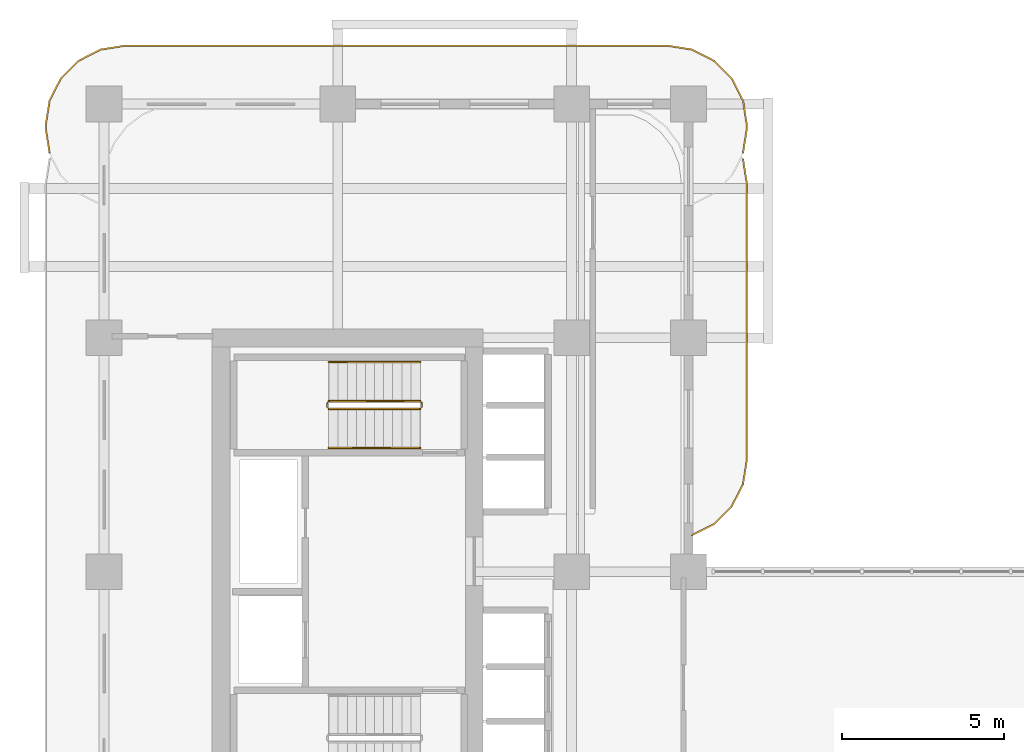
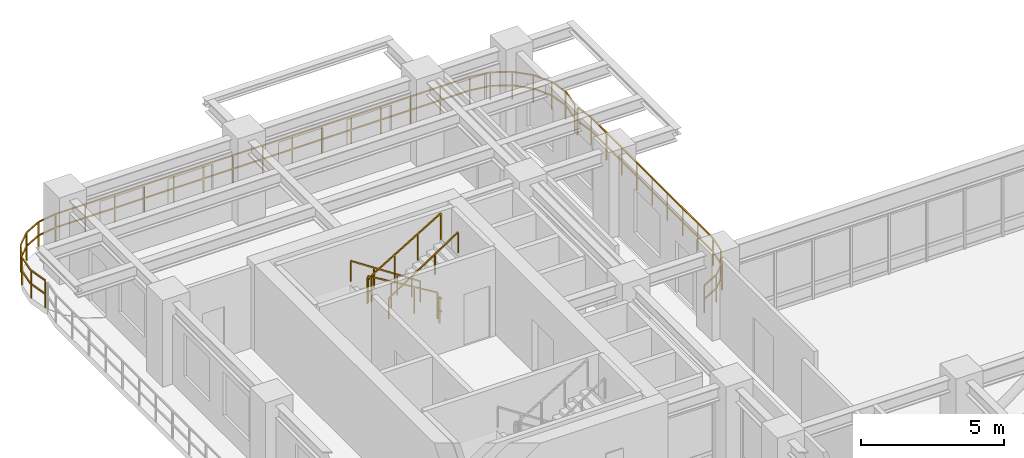
# One storey, part 21 of 21: 8 railings.
"""IFC4 building model written with IfcOpenShell, lengths in metres."""

from ifc_helpers import new_model, si_unit, derived_unit, direction, frame, origin, origin_2d, place, context, subcontext, project, spatial, rectangle, extrude, material, type_object, element, save


model = new_model("IFC4")

# Units and contexts
model_context = context("Model", 3, precision=1e-05, world=origin(), true_north=direction((0.0, 1.0)))
body_context = subcontext(model_context, "Body", "Model", "MODEL_VIEW")
ifc_project = project(units=[si_unit("LENGTHUNIT", "METRE"), si_unit("AREAUNIT", "SQUARE_METRE"), si_unit("VOLUMEUNIT", "CUBIC_METRE"), si_unit("PLANEANGLEUNIT", "RADIAN"), si_unit("MASSUNIT", "GRAM", prefix="KILO"), si_unit("THERMODYNAMICTEMPERATUREUNIT", "KELVIN"), si_unit("POWERUNIT", "WATT"), derived_unit("THERMALTRANSMITTANCEUNIT", [(si_unit("POWERUNIT", "WATT"), 1), (si_unit("AREAUNIT", "SQUARE_METRE"), -1), (si_unit("THERMODYNAMICTEMPERATUREUNIT", "KELVIN"), -1)])], contexts=[model_context])

# Site, building, storey
site_placement = place(None, origin())
site = spatial("IfcSite", under=ifc_project, at=site_placement, CompositionType="ELEMENT")
building_placement = place(site_placement, origin())
building = spatial("IfcBuilding", under=site, at=building_placement, Name="Zahravan Archway Hotel and Residences", CompositionType="ELEMENT")
storey_placement = place(building_placement, frame((0.0, 0.0, 65.699951171875)))
storey = spatial("IfcBuildingStorey", under=building, at=storey_placement, Name="L15", CompositionType="ELEMENT", Elevation=65.699951171875)

# Railings
ifc_material_1 = material(Name="Bronze & Laminated Glass Balustrade", Category="glass")
railing_type_1 = type_object("IfcRailingType", Name="RL-BAL-1200", PredefinedType="BALUSTRADE", material=ifc_material_1)
railing_1_placement = place(storey_placement, frame((-1.68017578125, 45.29296875, 0.0)))
element("IfcRailing", 1, at=railing_1_placement, inside=storey, type_object=railing_type_1, Name="L15 Balustrade RL-SLB-BAL-L15-NB-1", PredefinedType="BALUSTRADE", context=body_context, shape_type="SweptSolid", body=[
    extrude(rectangle(XDim=0.048095703125, YDim=0.048095703125, at=origin_2d()), frame((0.0, 0.0, 1.17578125), z_axis=(-0.156387811283, 0.987695728695, 0.0), x_axis=(-0.987695728695, -0.156387811283, 0.0)), (0.0, 0.0, 1.0), 0.7666015625),
    extrude(rectangle(XDim=0.048095703125, YDim=0.048095703125, at=origin_2d()), frame((0.0, 0.0, 0.60009765625), z_axis=(-0.156387811283, 0.987695728695, 0.0), x_axis=(-0.987695728695, -0.156387811283, 0.0)), (0.0, 0.0, 1.0), 0.7666015625),
    extrude(rectangle(XDim=0.048095703125, YDim=0.048095703125, at=origin_2d()), frame((-0.119873046875, 0.757080078125, 1.17578125), z_axis=(0.0, 1.0, 0.0), x_axis=(-1.0, 0.0, 0.0)), (0.0, 0.0, 1.0), 0.099853515625),
    extrude(rectangle(XDim=0.048095703125, YDim=0.048095703125, at=origin_2d()), frame((-0.119873046875, 0.757080078125, 0.60009765625), z_axis=(0.0, 1.0, 0.0), x_axis=(-1.0, 0.0, 0.0)), (0.0, 0.0, 1.0), 0.099853515625),
    extrude(rectangle(XDim=0.048095703125, YDim=0.048095703125, at=origin_2d()), frame((-0.119873046875, 0.85693359375, 1.17578125), z_axis=(0.156387811283, 0.987695728695, 0.0), x_axis=(-0.987695728695, 0.156387811283, 0.0)), (0.0, 0.0, 1.0), 0.7666015625),
    extrude(rectangle(XDim=0.048095703125, YDim=0.048095703125, at=origin_2d()), frame((-0.119873046875, 0.85693359375, 0.60009765625), z_axis=(0.156387811283, 0.987695728695, 0.0), x_axis=(-0.987695728695, 0.156387811283, 0.0)), (0.0, 0.0, 1.0), 0.7666015625),
    extrude(rectangle(XDim=0.048095703125, YDim=0.048095703125, at=origin_2d()), frame((0.0, 1.614013671875, 1.17578125), z_axis=(0.454078418624, 0.890961721815, 0.0), x_axis=(-0.890961721815, 0.454078418624, 0.0)), (0.0, 0.0, 1.0), 0.7666015625),
    extrude(rectangle(XDim=0.048095703125, YDim=0.048095703125, at=origin_2d()), frame((0.0, 1.614013671875, 0.60009765625), z_axis=(0.454078418624, 0.890961721815, 0.0), x_axis=(-0.890961721815, 0.454078418624, 0.0)), (0.0, 0.0, 1.0), 0.7666015625),
    extrude(rectangle(XDim=0.048095703125, YDim=0.048095703125, at=origin_2d()), frame((0.34814453125, 2.297119140625, 1.17578125), z_axis=(0.707106781187, 0.707106781187, 0.0), x_axis=(-0.707106781187, 0.707106781187, 0.0)), (0.0, 0.0, 1.0), 0.7666015625),
    extrude(rectangle(XDim=0.048095703125, YDim=0.048095703125, at=origin_2d()), frame((0.34814453125, 2.297119140625, 0.60009765625), z_axis=(0.707106781187, 0.707106781187, 0.0), x_axis=(-0.707106781187, 0.707106781187, 0.0)), (0.0, 0.0, 1.0), 0.7666015625),
    extrude(rectangle(XDim=0.048095703125, YDim=0.048095703125, at=origin_2d()), frame((0.89013671875, 2.839111328125, 1.17578125), z_axis=(0.891024909783, 0.453954414172, 0.0), x_axis=(-0.453954414172, 0.891024909783, 0.0)), (0.0, 0.0, 1.0), 0.766357421875),
    extrude(rectangle(XDim=0.048095703125, YDim=0.048095703125, at=origin_2d()), frame((0.89013671875, 2.839111328125, 0.60009765625), z_axis=(0.891024909783, 0.453954414172, 0.0), x_axis=(-0.453954414172, 0.891024909783, 0.0)), (0.0, 0.0, 1.0), 0.766357421875),
    extrude(rectangle(XDim=0.048095703125, YDim=0.048095703125, at=origin_2d()), frame((1.572998046875, 3.18701171875, 1.17578125), z_axis=(0.987646484274, 0.156698507018, 0.0), x_axis=(-0.156698507018, 0.987646484274, 0.0)), (0.0, 0.0, 1.0), 0.7666015625),
    extrude(rectangle(XDim=0.048095703125, YDim=0.048095703125, at=origin_2d()), frame((1.572998046875, 3.18701171875, 0.60009765625), z_axis=(0.987646484274, 0.156698507018, 0.0), x_axis=(-0.156698507018, 0.987646484274, 0.0)), (0.0, 0.0, 1.0), 0.7666015625),
    extrude(rectangle(XDim=0.048095703125, YDim=0.048095703125, at=origin_2d()), frame((2.330078125, 3.30712890625, 1.17578125), z_axis=(1.0, 0.0, 0.0), x_axis=(0.0, 1.0, 0.0)), (0.0, 0.0, 1.0), 16.7001953125),
    extrude(rectangle(XDim=0.048095703125, YDim=0.048095703125, at=origin_2d()), frame((2.330078125, 3.30712890625, 0.60009765625), z_axis=(1.0, 0.0, 0.0), x_axis=(0.0, 1.0, 0.0)), (0.0, 0.0, 1.0), 16.7001953125),
    extrude(rectangle(XDim=0.048095703125, YDim=0.048095703125, at=origin_2d()), frame((19.0302734375, 3.30712890625, 1.17578125), z_axis=(0.987646484274, -0.156698507018, 0.0), x_axis=(0.156698507018, 0.987646484274, 0.0)), (0.0, 0.0, 1.0), 0.7666015625),
    extrude(rectangle(XDim=0.048095703125, YDim=0.048095703125, at=origin_2d()), frame((19.0302734375, 3.30712890625, 0.60009765625), z_axis=(0.987646484274, -0.156698507018, 0.0), x_axis=(0.156698507018, 0.987646484274, 0.0)), (0.0, 0.0, 1.0), 0.7666015625),
    extrude(rectangle(XDim=0.048095703125, YDim=0.048095703125, at=origin_2d()), frame((19.787353515625, 3.18701171875, 1.17578125), z_axis=(0.891024909783, -0.453954414172, 0.0), x_axis=(0.453954414172, 0.891024909783, 0.0)), (0.0, 0.0, 1.0), 0.766357421875),
    extrude(rectangle(XDim=0.048095703125, YDim=0.048095703125, at=origin_2d()), frame((19.787353515625, 3.18701171875, 0.60009765625), z_axis=(0.891024909783, -0.453954414172, 0.0), x_axis=(0.453954414172, 0.891024909783, 0.0)), (0.0, 0.0, 1.0), 0.766357421875),
    extrude(rectangle(XDim=0.048095703125, YDim=0.048095703125, at=origin_2d()), frame((20.47021484375, 2.839111328125, 1.17578125), z_axis=(0.707106781187, -0.707106781187, 0.0), x_axis=(0.707106781187, 0.707106781187, 0.0)), (0.0, 0.0, 1.0), 0.7666015625),
    extrude(rectangle(XDim=0.048095703125, YDim=0.048095703125, at=origin_2d()), frame((20.47021484375, 2.839111328125, 0.60009765625), z_axis=(0.707106781187, -0.707106781187, 0.0), x_axis=(0.707106781187, 0.707106781187, 0.0)), (0.0, 0.0, 1.0), 0.7666015625),
    extrude(rectangle(XDim=0.048095703125, YDim=0.048095703125, at=origin_2d()), frame((21.01220703125, 2.297119140625, 1.17578125), z_axis=(0.454078418624, -0.890961721815, 0.0), x_axis=(0.890961721815, 0.454078418624, 0.0)), (0.0, 0.0, 1.0), 0.7666015625),
    extrude(rectangle(XDim=0.048095703125, YDim=0.048095703125, at=origin_2d()), frame((21.01220703125, 2.297119140625, 0.60009765625), z_axis=(0.454078418624, -0.890961721815, 0.0), x_axis=(0.890961721815, 0.454078418624, 0.0)), (0.0, 0.0, 1.0), 0.7666015625),
    extrude(rectangle(XDim=0.048095703125, YDim=0.048095703125, at=origin_2d()), frame((21.3603515625, 1.614013671875, 1.17578125), z_axis=(0.156387811283, -0.987695728695, 0.0), x_axis=(0.987695728695, 0.156387811283, 0.0)), (0.0, 0.0, 1.0), 0.7666015625),
    extrude(rectangle(XDim=0.048095703125, YDim=0.048095703125, at=origin_2d()), frame((21.3603515625, 1.614013671875, 0.60009765625), z_axis=(0.156387811283, -0.987695728695, 0.0), x_axis=(0.987695728695, 0.156387811283, 0.0)), (0.0, 0.0, 1.0), 0.7666015625),
    extrude(rectangle(XDim=0.048095703125, YDim=0.048095703125, at=origin_2d()), frame((21.480224609375, 0.85693359375, 1.17578125), z_axis=(0.0, -1.0, 0.0), x_axis=(1.0, 0.0, 0.0)), (0.0, 0.0, 1.0), 0.099853515625),
    extrude(rectangle(XDim=0.048095703125, YDim=0.048095703125, at=origin_2d()), frame((21.480224609375, 0.85693359375, 0.60009765625), z_axis=(0.0, -1.0, 0.0), x_axis=(1.0, 0.0, 0.0)), (0.0, 0.0, 1.0), 0.099853515625),
    extrude(rectangle(XDim=0.048095703125, YDim=0.048095703125, at=origin_2d()), frame((21.480224609375, 0.757080078125, 1.17578125), z_axis=(-0.156387811283, -0.987695728695, 0.0), x_axis=(0.987695728695, -0.156387811283, 0.0)), (0.0, 0.0, 1.0), 0.7666015625),
    extrude(rectangle(XDim=0.048095703125, YDim=0.048095703125, at=origin_2d()), frame((21.480224609375, 0.757080078125, 0.60009765625), z_axis=(-0.156387811283, -0.987695728695, 0.0), x_axis=(0.987695728695, -0.156387811283, 0.0)), (0.0, 0.0, 1.0), 0.7666015625),
    extrude(rectangle(XDim=0.0419921875, YDim=0.0419921875, at=origin_2d()), origin(), (0.0, 0.0, 1.0), 1.15185546875),
    extrude(rectangle(XDim=0.0419921875, YDim=0.0419921875, at=origin_2d()), frame((-0.119873046875, 0.757080078125, 0.0)), (0.0, 0.0, 1.0), 1.15185546875),
    extrude(rectangle(XDim=0.0419921875, YDim=0.0419921875, at=origin_2d()), frame((0.0, 1.614013671875, 0.0)), (0.0, 0.0, 1.0), 1.15185546875),
    extrude(rectangle(XDim=0.0419921875, YDim=0.0419921875, at=origin_2d()), frame((0.34814453125, 2.297119140625, 0.0)), (0.0, 0.0, 1.0), 1.15185546875),
    extrude(rectangle(XDim=0.0419921875, YDim=0.0419921875, at=origin_2d()), frame((0.89013671875, 2.839111328125, 0.0)), (0.0, 0.0, 1.0), 1.15185546875),
    extrude(rectangle(XDim=0.0419921875, YDim=0.0419921875, at=origin_2d()), frame((1.572998046875, 3.18701171875, 0.0)), (0.0, 0.0, 1.0), 1.15185546875),
    extrude(rectangle(XDim=0.0419921875, YDim=0.0419921875, at=origin_2d()), frame((2.330078125, 3.30712890625, 0.0)), (0.0, 0.0, 1.0), 1.15185546875),
    extrude(rectangle(XDim=0.0419921875, YDim=0.0419921875, at=origin_2d()), frame((3.52294921875, 3.30712890625, 0.0)), (0.0, 0.0, 1.0), 1.15185546875),
    extrude(rectangle(XDim=0.0419921875, YDim=0.0419921875, at=origin_2d()), frame((4.7158203125, 3.30712890625, 0.0)), (0.0, 0.0, 1.0), 1.15185546875),
    extrude(rectangle(XDim=0.0419921875, YDim=0.0419921875, at=origin_2d()), frame((5.90869140625, 3.30712890625, 0.0)), (0.0, 0.0, 1.0), 1.15185546875),
    extrude(rectangle(XDim=0.0419921875, YDim=0.0419921875, at=origin_2d()), frame((7.1015625, 3.30712890625, 0.0)), (0.0, 0.0, 1.0), 1.15185546875),
    extrude(rectangle(XDim=0.0419921875, YDim=0.0419921875, at=origin_2d()), frame((8.29443359375, 3.30712890625, 0.0)), (0.0, 0.0, 1.0), 1.15185546875),
    extrude(rectangle(XDim=0.0419921875, YDim=0.0419921875, at=origin_2d()), frame((9.4873046875, 3.30712890625, 0.0)), (0.0, 0.0, 1.0), 1.15185546875),
    extrude(rectangle(XDim=0.0419921875, YDim=0.0419921875, at=origin_2d()), frame((10.68017578125, 3.30712890625, 0.0)), (0.0, 0.0, 1.0), 1.15185546875),
    extrude(rectangle(XDim=0.0419921875, YDim=0.0419921875, at=origin_2d()), frame((11.873046875, 3.30712890625, 0.0)), (0.0, 0.0, 1.0), 1.15185546875),
    extrude(rectangle(XDim=0.0419921875, YDim=0.0419921875, at=origin_2d()), frame((13.06591796875, 3.30712890625, 0.0)), (0.0, 0.0, 1.0), 1.15185546875),
    extrude(rectangle(XDim=0.0419921875, YDim=0.0419921875, at=origin_2d()), frame((14.2587890625, 3.30712890625, 0.0)), (0.0, 0.0, 1.0), 1.15185546875),
    extrude(rectangle(XDim=0.0419921875, YDim=0.0419921875, at=origin_2d()), frame((15.45166015625, 3.30712890625, 0.0)), (0.0, 0.0, 1.0), 1.15185546875),
    extrude(rectangle(XDim=0.0419921875, YDim=0.0419921875, at=origin_2d()), frame((16.64453125, 3.30712890625, 0.0)), (0.0, 0.0, 1.0), 1.15185546875),
    extrude(rectangle(XDim=0.0419921875, YDim=0.0419921875, at=origin_2d()), frame((17.83740234375, 3.30712890625, 0.0)), (0.0, 0.0, 1.0), 1.15185546875),
    extrude(rectangle(XDim=0.0419921875, YDim=0.0419921875, at=origin_2d()), frame((19.0302734375, 3.30712890625, 0.0)), (0.0, 0.0, 1.0), 1.15185546875),
    extrude(rectangle(XDim=0.0419921875, YDim=0.0419921875, at=origin_2d()), frame((19.787353515625, 3.18701171875, 0.0)), (0.0, 0.0, 1.0), 1.15185546875),
    extrude(rectangle(XDim=0.0419921875, YDim=0.0419921875, at=origin_2d()), frame((20.47021484375, 2.839111328125, 0.0)), (0.0, 0.0, 1.0), 1.15185546875),
    extrude(rectangle(XDim=0.0419921875, YDim=0.0419921875, at=origin_2d()), frame((21.01220703125, 2.297119140625, 0.0)), (0.0, 0.0, 1.0), 1.15185546875),
    extrude(rectangle(XDim=0.0419921875, YDim=0.0419921875, at=origin_2d()), frame((21.3603515625, 1.614013671875, 0.0)), (0.0, 0.0, 1.0), 1.15185546875),
    extrude(rectangle(XDim=0.0419921875, YDim=0.0419921875, at=origin_2d()), frame((21.480224609375, 0.85693359375, 0.0)), (0.0, 0.0, 1.0), 1.15185546875),
    extrude(rectangle(XDim=0.0419921875, YDim=0.0419921875, at=origin_2d()), frame((21.3603515625, 0.0, 0.0)), (0.0, 0.0, 1.0), 1.15185546875),
])
railing_2_placement = place(storey_placement, frame((19.68017578125, 45.107177734375, 0.0)))
element("IfcRailing", 2, at=railing_2_placement, inside=storey, type_object=railing_type_1, Name="L15 Balustrade RL-SLB-BAL-L15-EB-1", PredefinedType="BALUSTRADE", context=body_context, shape_type="SweptSolid", body=[
    extrude(rectangle(XDim=0.048095703125, YDim=0.048095703125, at=origin_2d()), frame((0.0, 0.0, 1.17578125), z_axis=(0.156387811283, -0.987695728695, 0.0), x_axis=(0.987695728695, 0.156387811283, 0.0)), (0.0, 0.0, 1.0), 0.7666015625),
    extrude(rectangle(XDim=0.048095703125, YDim=0.048095703125, at=origin_2d()), frame((0.0, 0.0, 0.60009765625), z_axis=(0.156387811283, -0.987695728695, 0.0), x_axis=(0.987695728695, 0.156387811283, 0.0)), (0.0, 0.0, 1.0), 0.7666015625),
    extrude(rectangle(XDim=0.048095703125, YDim=0.048095703125, at=origin_2d()), frame((0.119873046875, -0.757080078125, 1.17578125), z_axis=(0.0, -1.0, 0.0), x_axis=(1.0, 0.0, 0.0)), (0.0, 0.0, 1.0), 8.5),
    extrude(rectangle(XDim=0.048095703125, YDim=0.048095703125, at=origin_2d()), frame((0.119873046875, -0.757080078125, 0.60009765625), z_axis=(0.0, -1.0, 0.0), x_axis=(1.0, 0.0, 0.0)), (0.0, 0.0, 1.0), 8.5),
    extrude(rectangle(XDim=0.048095703125, YDim=0.048095703125, at=origin_2d()), frame((0.119873046875, -9.257080078125, 1.17578125), z_axis=(-0.156387811283, -0.987695728695, 0.0), x_axis=(0.987695728695, -0.156387811283, 0.0)), (0.0, 0.0, 1.0), 0.7666015625),
    extrude(rectangle(XDim=0.048095703125, YDim=0.048095703125, at=origin_2d()), frame((0.119873046875, -9.257080078125, 0.60009765625), z_axis=(-0.156387811283, -0.987695728695, 0.0), x_axis=(0.987695728695, -0.156387811283, 0.0)), (0.0, 0.0, 1.0), 0.7666015625),
    extrude(rectangle(XDim=0.048095703125, YDim=0.048095703125, at=origin_2d()), frame((0.0, -10.01416015625, 1.17578125), z_axis=(-0.454078418624, -0.890961721815, 0.0), x_axis=(0.890961721815, -0.454078418624, 0.0)), (0.0, 0.0, 1.0), 0.7666015625),
    extrude(rectangle(XDim=0.048095703125, YDim=0.048095703125, at=origin_2d()), frame((0.0, -10.01416015625, 0.60009765625), z_axis=(-0.454078418624, -0.890961721815, 0.0), x_axis=(0.890961721815, -0.454078418624, 0.0)), (0.0, 0.0, 1.0), 0.7666015625),
    extrude(rectangle(XDim=0.048095703125, YDim=0.048095703125, at=origin_2d()), frame((-0.34814453125, -10.697265625, 1.17578125), z_axis=(-0.707106781187, -0.707106781187, 0.0), x_axis=(0.707106781187, -0.707106781187, 0.0)), (0.0, 0.0, 1.0), 0.7666015625),
    extrude(rectangle(XDim=0.048095703125, YDim=0.048095703125, at=origin_2d()), frame((-0.34814453125, -10.697265625, 0.60009765625), z_axis=(-0.707106781187, -0.707106781187, 0.0), x_axis=(0.707106781187, -0.707106781187, 0.0)), (0.0, 0.0, 1.0), 0.7666015625),
    extrude(rectangle(XDim=0.048095703125, YDim=0.048095703125, at=origin_2d()), frame((-0.89013671875, -11.2392578125, 1.17578125), z_axis=(-0.891024909783, -0.453954414172, 0.0), x_axis=(0.453954414172, -0.891024909783, 0.0)), (0.0, 0.0, 1.0), 0.766357421875),
    extrude(rectangle(XDim=0.048095703125, YDim=0.048095703125, at=origin_2d()), frame((-0.89013671875, -11.2392578125, 0.60009765625), z_axis=(-0.891024909783, -0.453954414172, 0.0), x_axis=(0.453954414172, -0.891024909783, 0.0)), (0.0, 0.0, 1.0), 0.766357421875),
    extrude(rectangle(XDim=0.0419921875, YDim=0.0419921875, at=origin_2d()), origin(), (0.0, 0.0, 1.0), 1.15185546875),
    extrude(rectangle(XDim=0.0419921875, YDim=0.0419921875, at=origin_2d()), frame((0.119873046875, -0.757080078125, 0.0)), (0.0, 0.0, 1.0), 1.15185546875),
    extrude(rectangle(XDim=0.0419921875, YDim=0.0419921875, at=origin_2d()), frame((0.119873046875, -1.819580078125, 0.0)), (0.0, 0.0, 1.0), 1.15185546875),
    extrude(rectangle(XDim=0.0419921875, YDim=0.0419921875, at=origin_2d()), frame((0.119873046875, -2.882080078125, 0.0)), (0.0, 0.0, 1.0), 1.15185546875),
    extrude(rectangle(XDim=0.0419921875, YDim=0.0419921875, at=origin_2d()), frame((0.119873046875, -3.944580078125, 0.0)), (0.0, 0.0, 1.0), 1.15185546875),
    extrude(rectangle(XDim=0.0419921875, YDim=0.0419921875, at=origin_2d()), frame((0.119873046875, -5.007080078125, 0.0)), (0.0, 0.0, 1.0), 1.15185546875),
    extrude(rectangle(XDim=0.0419921875, YDim=0.0419921875, at=origin_2d()), frame((0.119873046875, -6.069580078125, 0.0)), (0.0, 0.0, 1.0), 1.15185546875),
    extrude(rectangle(XDim=0.0419921875, YDim=0.0419921875, at=origin_2d()), frame((0.119873046875, -7.132080078125, 0.0)), (0.0, 0.0, 1.0), 1.15185546875),
    extrude(rectangle(XDim=0.0419921875, YDim=0.0419921875, at=origin_2d()), frame((0.119873046875, -8.194580078125, 0.0)), (0.0, 0.0, 1.0), 1.15185546875),
    extrude(rectangle(XDim=0.0419921875, YDim=0.0419921875, at=origin_2d()), frame((0.119873046875, -9.257080078125, 0.0)), (0.0, 0.0, 1.0), 1.15185546875),
    extrude(rectangle(XDim=0.0419921875, YDim=0.0419921875, at=origin_2d()), frame((0.0, -10.01416015625, 0.0)), (0.0, 0.0, 1.0), 1.15185546875),
    extrude(rectangle(XDim=0.0419921875, YDim=0.0419921875, at=origin_2d()), frame((-0.34814453125, -10.697265625, 0.0)), (0.0, 0.0, 1.0), 1.15185546875),
    extrude(rectangle(XDim=0.0419921875, YDim=0.0419921875, at=origin_2d()), frame((-0.89013671875, -11.2392578125, 0.0)), (0.0, 0.0, 1.0), 1.15185546875),
    extrude(rectangle(XDim=0.0419921875, YDim=0.0419921875, at=origin_2d()), frame((-1.572998046875, -11.587158203125, 0.0)), (0.0, 0.0, 1.0), 1.15185546875),
])
ifc_material_2 = material(Name="Painted Tubular Steel", Category="steel")
railing_type_2 = type_object("IfcRailingType", Name="RL-STG-1150", PredefinedType="GUARDRAIL", material=ifc_material_2)
railing_3_placement = place(storey_placement, frame((9.72998046875, 37.64990234375, 0.168212890625)))
element("IfcRailing", 3, at=railing_3_placement, inside=storey, type_object=railing_type_2, Name="L15 ST-B2 stair guard 1", PredefinedType="GUARDRAIL", context=body_context, shape_type="SweptSolid", body=[
    extrude(rectangle(XDim=0.048095703125, YDim=0.048095703125, at=origin_2d()), frame((0.0, 0.0, 1.1259765625), z_axis=(-0.857242210791, 0.0, 0.514913383045), x_axis=(0.0, -1.0, 0.0)), (0.0, 0.0, 1.0), 3.266357421875),
    extrude(rectangle(XDim=0.0419921875, YDim=0.0419921875, at=origin_2d()), origin(), (0.0, 0.0, 1.0), 1.101806640625),
    extrude(rectangle(XDim=0.0419921875, YDim=0.0419921875, at=origin_2d()), frame((-0.933349609375, 0.0, 0.560546875)), (0.0, 0.0, 1.0), 1.101806640625),
    extrude(rectangle(XDim=0.0419921875, YDim=0.0419921875, at=origin_2d()), frame((-1.86669921875, 0.0, 1.121337890625)), (0.0, 0.0, 1.0), 1.101806640625),
    extrude(rectangle(XDim=0.0419921875, YDim=0.0419921875, at=origin_2d()), frame((-2.800048828125, 0.0, 1.681884765625)), (0.0, 0.0, 1.0), 1.101806640625),
])
railing_4_placement = place(storey_placement, frame((6.8798828125, 37.60009765625, 1.85009765625)))
element("IfcRailing", 4, at=railing_4_placement, inside=storey, type_object=railing_type_2, Name="L15 ST-B2 stair guard 2", PredefinedType="GUARDRAIL", context=body_context, shape_type="SweptSolid", body=[
    extrude(rectangle(XDim=0.048095703125, YDim=0.048095703125, at=origin_2d()), frame((0.0, 0.0, 1.1259765625), z_axis=(0.0, -1.0, 0.0), x_axis=(1.0, 0.0, 0.0)), (0.0, 0.0, 1.0), 0.14013671875),
    extrude(rectangle(XDim=0.048095703125, YDim=0.048095703125, at=origin_2d()), frame((0.0, 0.0, 0.574951171875), z_axis=(0.0, -1.0, 0.0), x_axis=(1.0, 0.0, 0.0)), (0.0, 0.0, 1.0), 0.14013671875),
    extrude(rectangle(XDim=0.0419921875, YDim=0.0419921875, at=origin_2d()), origin(), (0.0, 0.0, 1.0), 1.101806640625),
])
railing_5_placement = place(storey_placement, frame((6.929931640625, 37.409912109375, 2.018310546875)))
element("IfcRailing", 5, at=railing_5_placement, inside=storey, type_object=railing_type_2, Name="L15 ST-B2 stair guard 3", PredefinedType="GUARDRAIL", context=body_context, shape_type="SweptSolid", body=[
    extrude(rectangle(XDim=0.048095703125, YDim=0.048095703125, at=origin_2d()), frame((0.0, 0.0, 1.1259765625), z_axis=(0.857275202839, 0.0, 0.514858452973), x_axis=(0.0, 1.0, 0.0)), (0.0, 0.0, 1.0), 3.26611328125),
    extrude(rectangle(XDim=0.0419921875, YDim=0.0419921875, at=origin_2d()), origin(), (0.0, 0.0, 1.0), 1.101806640625),
    extrude(rectangle(XDim=0.0419921875, YDim=0.0419921875, at=origin_2d()), frame((0.933349609375, 0.0, 0.560546875)), (0.0, 0.0, 1.0), 1.101806640625),
    extrude(rectangle(XDim=0.0419921875, YDim=0.0419921875, at=origin_2d()), frame((1.86669921875, 0.0, 1.12109375)), (0.0, 0.0, 1.0), 1.101806640625),
    extrude(rectangle(XDim=0.0419921875, YDim=0.0419921875, at=origin_2d()), frame((2.800048828125, 0.0, 1.681640625)), (0.0, 0.0, 1.0), 1.101806640625),
])
railing_6_placement = place(storey_placement, frame((9.780029296875, 37.60009765625, 0.0)))
element("IfcRailing", 6, at=railing_6_placement, inside=storey, type_object=railing_type_2, Name="L15 ST-B2 stair guard 4", PredefinedType="GUARDRAIL", context=body_context, shape_type="SweptSolid", body=[
    extrude(rectangle(XDim=0.048095703125, YDim=0.048095703125, at=origin_2d()), frame((0.0, 0.0, 1.1259765625), z_axis=(0.0, -1.0, 0.0), x_axis=(1.0, 0.0, 0.0)), (0.0, 0.0, 1.0), 0.14013671875),
    extrude(rectangle(XDim=0.048095703125, YDim=0.048095703125, at=origin_2d()), frame((0.0, 0.0, 0.574951171875), z_axis=(0.0, -1.0, 0.0), x_axis=(1.0, 0.0, 0.0)), (0.0, 0.0, 1.0), 0.14013671875),
    extrude(rectangle(XDim=0.0419921875, YDim=0.0419921875, at=origin_2d()), origin(), (0.0, 0.0, 1.0), 1.101806640625),
])
ifc_material_3 = material(Name="Brushed Stainless Steel", Category="steel")
railing_type_3 = type_object("IfcRailingType", Name="RL-STH-900", PredefinedType="HANDRAIL", material=ifc_material_3)
railing_7_placement = place(storey_placement, frame((9.72998046875, 38.85009765625, 0.168212890625)))
element("IfcRailing", 7, at=railing_7_placement, inside=storey, type_object=railing_type_3, Name="L15 ST-B2 stair handrail 1", PredefinedType="HANDRAIL", context=body_context, shape_type="SweptSolid", body=[
    extrude(rectangle(XDim=0.048095703125, YDim=0.048095703125, at=origin_2d()), frame((0.0, 0.0, 0.8759765625), z_axis=(-0.834326358476, 0.0, 0.551270829586), x_axis=(0.0, -1.0, 0.0)), (0.0, 0.0, 1.0), 3.35595703125),
    extrude(rectangle(XDim=0.0419921875, YDim=0.0419921875, at=origin_2d()), origin(), (0.0, 0.0, 1.0), 0.851806640625),
    extrude(rectangle(XDim=0.0419921875, YDim=0.0419921875, at=origin_2d()), frame((-0.933349609375, 0.0, 0.61669921875)), (0.0, 0.0, 1.0), 0.851806640625),
    extrude(rectangle(XDim=0.0419921875, YDim=0.0419921875, at=origin_2d()), frame((-1.86669921875, 0.0, 1.2333984375)), (0.0, 0.0, 1.0), 0.851806640625),
    extrude(rectangle(XDim=0.0419921875, YDim=0.0419921875, at=origin_2d()), frame((-2.800048828125, 0.0, 1.85009765625)), (0.0, 0.0, 1.0), 0.851806640625),
])
railing_8_placement = place(storey_placement, frame((6.929931640625, 36.2099609375, 2.018310546875)))
element("IfcRailing", 8, at=railing_8_placement, inside=storey, type_object=railing_type_3, Name="L15 ST-B2 stair handrail 2", PredefinedType="HANDRAIL", context=body_context, shape_type="SweptSolid", body=[
    extrude(rectangle(XDim=0.048095703125, YDim=0.048095703125, at=origin_2d()), frame((0.0, 0.0, 0.8759765625), z_axis=(0.83435981716, 0.0, 0.551220187865), x_axis=(0.0, 1.0, 0.0)), (0.0, 0.0, 1.0), 3.35595703125),
    extrude(rectangle(XDim=0.0419921875, YDim=0.0419921875, at=origin_2d()), origin(), (0.0, 0.0, 1.0), 0.851806640625),
    extrude(rectangle(XDim=0.0419921875, YDim=0.0419921875, at=origin_2d()), frame((0.933349609375, 0.0, 0.61669921875)), (0.0, 0.0, 1.0), 0.851806640625),
    extrude(rectangle(XDim=0.0419921875, YDim=0.0419921875, at=origin_2d()), frame((1.86669921875, 0.0, 1.233154296875)), (0.0, 0.0, 1.0), 0.851806640625),
    extrude(rectangle(XDim=0.0419921875, YDim=0.0419921875, at=origin_2d()), frame((2.800048828125, 0.0, 1.849853515625)), (0.0, 0.0, 1.0), 0.851806640625),
])

save(model, "model.ifc")
